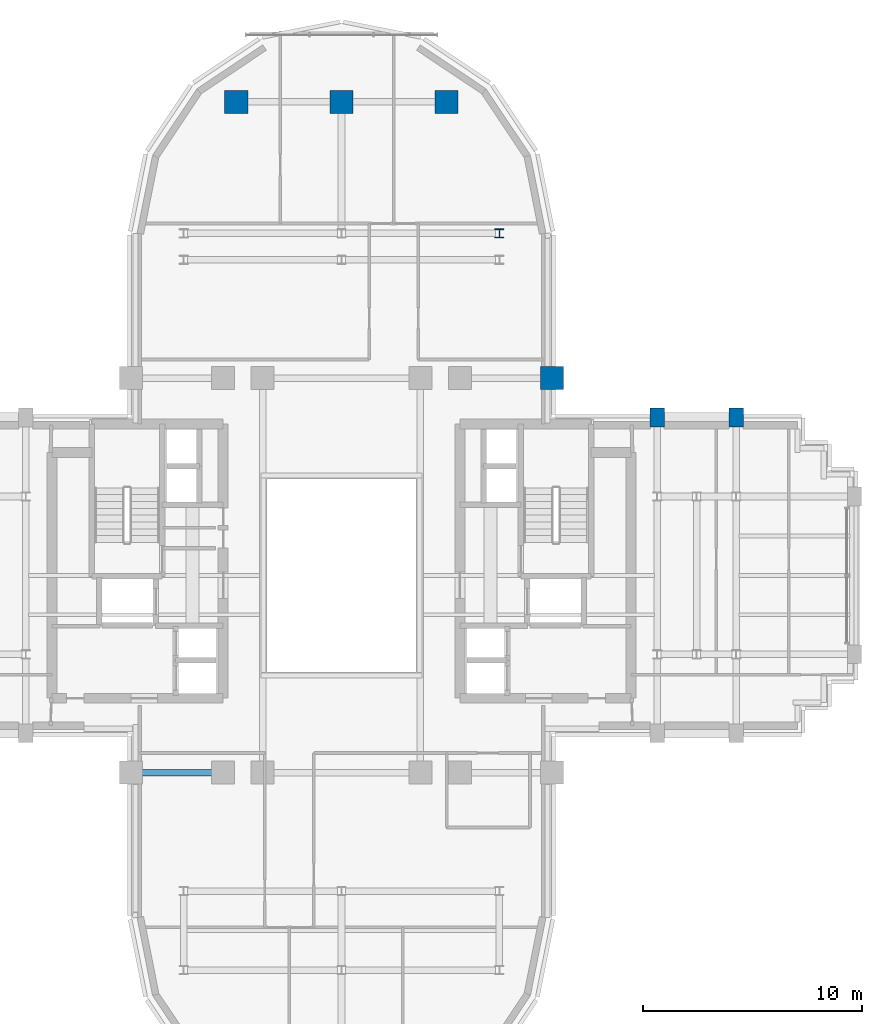
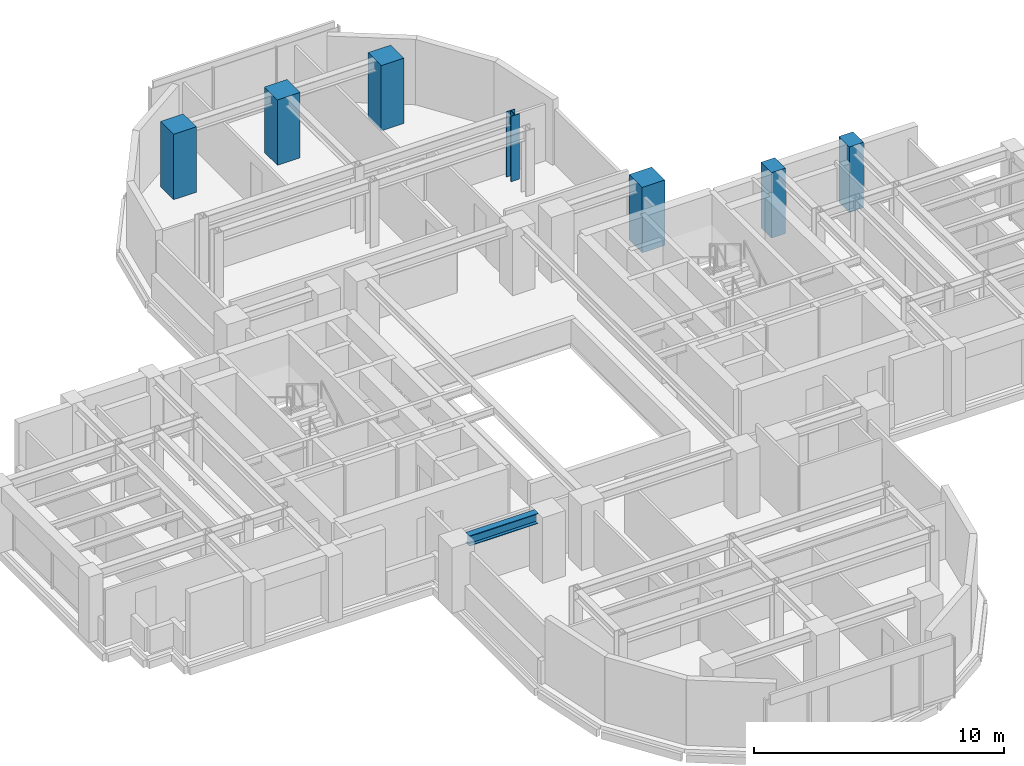
# One storey, part 2 of 14: 7 columns, 1 beam.
"""IFC4 building model written with IfcOpenShell, lengths in metres."""

from ifc_helpers import new_model, si_unit, direction, frame, origin, origin_2d, place, context, subcontext, project, spatial, rectangle, i_section, extrude, source, transform, mapped, material, material_profile, profile_set, type_object, element, save


model = new_model("IFC4")

# Units and contexts
model_context = context("Model", 3, precision=1e-05, world=origin(), true_north=direction((0.0, 1.0)))
body_context = subcontext(model_context, "Body", "Model", "MODEL_VIEW")
ifc_project = project(units=[si_unit("LENGTHUNIT", "METRE"), si_unit("AREAUNIT", "SQUARE_METRE"), si_unit("VOLUMEUNIT", "CUBIC_METRE"), si_unit("PLANEANGLEUNIT", "RADIAN"), si_unit("MASSUNIT", "GRAM", prefix="KILO")], contexts=[model_context])

# Site, building, storey
site_placement = place(None, origin())
site = spatial("IfcSite", under=ifc_project, at=site_placement, CompositionType="ELEMENT")
building_placement = place(site_placement, origin())
building = spatial("IfcBuilding", under=site, at=building_placement, Name="Keilestroom Media Tower", CompositionType="ELEMENT")
storey_placement = place(building_placement, frame((0.0, 0.0, 117.60009765625)))
storey = spatial("IfcBuildingStorey", under=building, at=storey_placement, Name="L31", CompositionType="ELEMENT", Elevation=117.60009765625)

# Columns
ifc_material_1 = material(Name="Precast concrete C40/50", Category="concrete")
ifc_material_profile_1 = material_profile(ifc_material_1, rectangle(XDim=0.64990234375, YDim=0.85009765625, at=origin_2d()), Name="PC 850x650")
ifc_profile_set_1 = profile_set([ifc_material_profile_1], Name="Precast concrete C40/50")
column_type_1 = type_object("IfcColumnType", Name="Structural-Column-PC-850x650", PredefinedType="COLUMN", material=ifc_profile_set_1)
shared_shape_1 = source(origin(), body_context, "Body", "SweptSolid", [
    extrude(rectangle(XDim=0.64990234375, YDim=0.85009765625, at=origin_2d()), origin(), (0.0, 0.0, 1.0), 3.199951171875),
])
for number, where, z_axis, x_axis, name in (
    (1, (14.39990234375, 7.199951171875, 0.0), (0.0, 0.0, 1.0), (1.0, 0.0, 0.0), "L31 Column PC-2 (+14.4,+7.2)"),
    (2, (18.0, 7.199951171875, 0.0), (0.0, 0.0, 1.0), (1.0, 0.0, 0.0), "L31 Column PC-2 (+18.0,+7.2)"),
):
    element("IfcColumn", number, at=place(storey_placement, frame(where, z_axis=z_axis, x_axis=x_axis)), inside=storey, type_object=column_type_1, Name=name, PredefinedType="COLUMN", context=body_context, shape_type="MappedRepresentation", body=[
        mapped(shared_shape_1, transform((0.0, 0.0, 0.0), x_axis=(1.0, 0.0, 0.0), y_axis=(0.0, 1.0, 0.0), z_axis=(0.0, 0.0, 1.0), scale=1.0)),
    ])
ifc_material_2 = material(Name="Steel S355", Category="steel")
ifc_material_profile_2 = material_profile(ifc_material_2, i_section(OverallWidth=0.40087890625, OverallDepth=0.39892578125, WebThickness=0.02001953125, FlangeThickness=0.031982421875, at=origin_2d()), Name="HD 400x314")
ifc_profile_set_2 = profile_set([ifc_material_profile_2], Name="Steel S355")
column_type_2 = type_object("IfcColumnType", Name="Structural-Column-HD-400x314", PredefinedType="COLUMN", material=ifc_profile_set_2)
shared_shape_2 = source(origin(), body_context, "Body", "SweptSolid", [
    extrude(i_section(OverallWidth=0.40087890625, OverallDepth=0.39892578125, WebThickness=0.02001953125, FlangeThickness=0.031982421875, at=origin_2d()), origin(), (0.0, 0.0, 1.0), 3.199951171875),
])
column_placement = place(storey_placement, frame((7.199951171875, 15.60009765625, 0.0), z_axis=(0.0, 0.0, 1.0), x_axis=(1.0, 0.0, 0.0)))
element("IfcColumn", 3, at=column_placement, inside=storey, type_object=column_type_2, Name="L31 Column SC-3 (+7.2,+15.6)", PredefinedType="COLUMN", context=body_context, shape_type="MappedRepresentation", body=[
    mapped(shared_shape_2, transform((0.0, 0.0, 0.0), x_axis=(1.0, 0.0, 0.0), y_axis=(0.0, 1.0, 0.0), z_axis=(0.0, 0.0, 1.0), scale=1.0)),
])
ifc_material_3 = material(Name="Concrete C55/67", Category="concrete")
ifc_material_profile_3 = material_profile(ifc_material_3, rectangle(XDim=1.050048828125, YDim=1.050048828125, at=origin_2d()), Name="RC 1050x1050")
ifc_profile_set_3 = profile_set([ifc_material_profile_3], Name="Concrete C55/67")
column_type_3 = type_object("IfcColumnType", Name="Structural-Column-RC-1050x1050", PredefinedType="COLUMN", material=ifc_profile_set_3)
shared_shape_3 = source(origin(), body_context, "Body", "SweptSolid", [
    extrude(rectangle(XDim=1.050048828125, YDim=1.050048828125, at=origin_2d()), origin(), (0.0, 0.0, 1.0), 3.199951171875),
])
for number, where, z_axis, x_axis, name in (
    (4, (-4.800048828125, 21.60009765625, 0.0), (0.0, 0.0, 1.0), (1.0, 0.0, 0.0), "L31 Column MC-3 (-4.8,+21.6)"),
    (5, (0.0, 21.60009765625, 0.0), (0.0, 0.0, 1.0), (1.0, 0.0, 0.0), "L31 Column MC-3 (+0.0,+21.6)"),
    (6, (4.800048828125, 21.60009765625, 0.0), (0.0, 0.0, 1.0), (1.0, 0.0, 0.0), "L31 Column MC-3 (+4.8,+21.6)"),
    (7, (9.60009765625, 9.0, 0.0), (0.0, 0.0, 1.0), (1.0, 0.0, 0.0), "L31 Column MC-3 (+9.6,+9.0)"),
):
    element("IfcColumn", number, at=place(storey_placement, frame(where, z_axis=z_axis, x_axis=x_axis)), inside=storey, type_object=column_type_3, Name=name, PredefinedType="COLUMN", context=body_context, shape_type="MappedRepresentation", body=[
        mapped(shared_shape_3, transform((0.0, 0.0, 0.0), x_axis=(1.0, 0.0, 0.0), y_axis=(0.0, 1.0, 0.0), z_axis=(0.0, 0.0, 1.0), scale=1.0)),
    ])

# Beam
ifc_material_profile_4 = material_profile(ifc_material_2, i_section(OverallWidth=0.300048828125, OverallDepth=0.5, WebThickness=0.012451171875, FlangeThickness=0.028076171875, at=origin_2d()), Name="HEB 500")
ifc_profile_set_4 = profile_set([ifc_material_profile_4], Name="Steel S355")
beam_type = type_object("IfcBeamType", Name="Primary-Structural-Girder-HEB-500", PredefinedType="BEAM", material=ifc_profile_set_4)
shared_shape_4 = source(origin(), body_context, "Body", "SweptSolid", [
    extrude(i_section(OverallWidth=0.300048828125, OverallDepth=0.5, WebThickness=0.012451171875, FlangeThickness=0.028076171875, at=origin_2d()), origin(), (0.0, 0.0, 1.0), 3.18994140625),
])
beam_placement = place(storey_placement, frame((-9.094970703125, -9.0, 2.949951171875), z_axis=(1.0, 0.0, 0.0), x_axis=(0.0, 1.0, 0.0)))
element("IfcBeam", 8, at=beam_placement, inside=storey, type_object=beam_type, Name="L31 Beam BG-6 BM-L31-EW-007", PredefinedType="BEAM", context=body_context, shape_type="MappedRepresentation", body=[
    mapped(shared_shape_4, transform((0.0, 0.0, 0.0), x_axis=(1.0, 0.0, 0.0), y_axis=(0.0, 1.0, 0.0), z_axis=(0.0, 0.0, 1.0), scale=1.0)),
])

save(model, "model.ifc")
